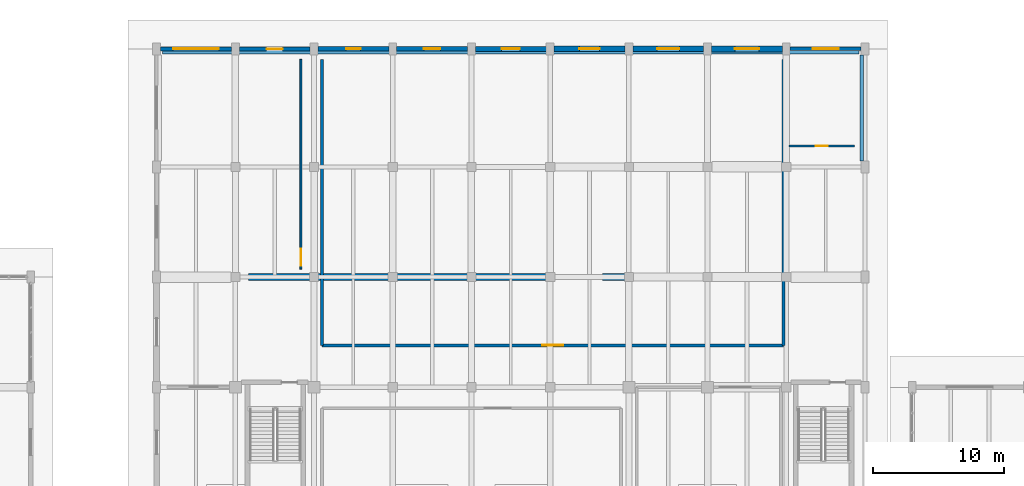
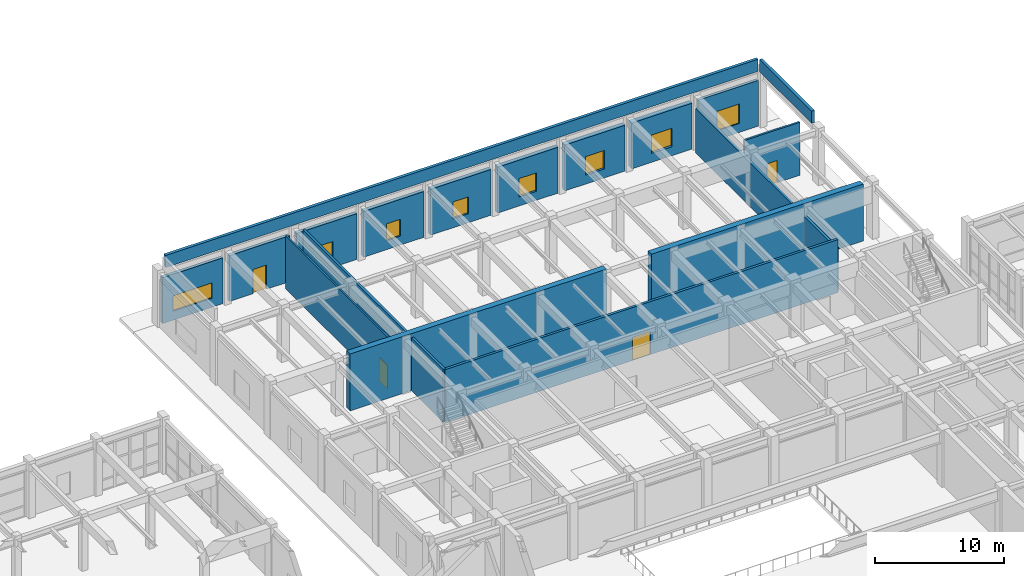
# One storey, part 76 of 91: 18 walls, 8 windows, 4 doors, 12 openings.
"""IFC4 building model written with IfcOpenShell, lengths in metres."""

from ifc_helpers import new_model, si_unit, direction, frame, frame_2d, origin, place, context, subcontext, project, spatial, rectangle, extrude, material, layer, layer_set, type_object, element, fill, save


model = new_model("IFC4")

# Units and contexts
model_context = context("Model", 3, precision=1e-05, world=origin(), true_north=direction((0.0, 1.0)))
body_context = subcontext(model_context, "Body", "Model", "MODEL_VIEW")
ifc_project = project(units=[si_unit("LENGTHUNIT", "METRE"), si_unit("AREAUNIT", "SQUARE_METRE"), si_unit("VOLUMEUNIT", "CUBIC_METRE"), si_unit("PLANEANGLEUNIT", "RADIAN"), si_unit("MASSUNIT", "GRAM", prefix="KILO")], contexts=[model_context])

# Site, building, storey
site_placement = place(None, origin())
site = spatial("IfcSite", under=ifc_project, at=site_placement, CompositionType="ELEMENT")
building_placement = place(site_placement, origin())
building = spatial("IfcBuilding", under=site, at=building_placement, Name="Vaelkrest Opera House", CompositionType="ELEMENT")
storey_placement = place(building_placement, origin())
storey = spatial("IfcBuildingStorey", under=building, at=storey_placement, Name="L00", CompositionType="ELEMENT", Elevation=0.0)

# Wall, opening, window
ifc_material_1 = material(Name="Douglas fir glulam GL28h", Category="wood")
ifc_layer_1 = layer(ifc_material_1, 0.2548828125)
ifc_layer_set_1 = layer_set([ifc_layer_1], Name="Douglas fir glulam GL28h")
wall_type_1 = type_object("IfcWallType", Name="EW01", PredefinedType="STANDARD", material=ifc_layer_set_1)
wall_1_placement = place(storey_placement, frame((24.298095703125, 59.39990234375, 0.0), z_axis=(0.0, 0.0, 1.0), x_axis=(1.0, 0.0, 0.0)))
wall_1 = element("IfcWall", 1, at=wall_1_placement, inside=storey, type_object=wall_type_1, Name="Exterior facade wall EW-V2-L00-0341", PredefinedType="STANDARD", context=body_context, shape_type="SweptSolid", body=[
    extrude(rectangle(XDim=5.40380859375, YDim=0.2548828125, at=frame_2d((2.701904296875, 0.0))), origin(), (0.0, 0.0, 1.0), 4.344970703125),
])
opening_1_placement = place(wall_1_placement, frame((1.701904296875, 0.0, 0.85009765625)))
opening_1 = element("IfcOpeningElement", 2, at=opening_1_placement, cuts=wall_1, Name="Opening WN215", PredefinedType="OPENING", context=body_context, shape_type="SweptSolid", body=[
    extrude(rectangle(XDim=2.0, YDim=1.85009765625, at=frame_2d((1.0, 0.925048828125))), frame((0.0, 0.137451171875, 0.0), z_axis=(0.0, -1.0, 0.0), x_axis=(1.0, 0.0, 0.0)), (0.0, 0.0, 1.0), 0.27490234375),
])
ifc_material_2 = material(Name="Double low-E insulated glazing", Category="glass")
window_type_1 = type_object("IfcWindowType", Name="WT07", PartitioningType="SINGLE_PANEL", PredefinedType="WINDOW", material=ifc_material_2)
window_1_placement = place(opening_1_placement, origin())
window_1 = element("IfcWindow", 3, at=window_1_placement, inside=storey, type_object=window_type_1, Name="Facade window WN215", OverallHeight=1.85009765625, OverallWidth=2.0, PartitioningType="SINGLE_PANEL", PredefinedType="WINDOW", context=body_context, shape_type="SweptSolid", body=[
    extrude(rectangle(XDim=2.0, YDim=1.85009765625, at=frame_2d((1.0, 0.925048828125))), frame((0.0, 0.030029296875, 0.0), z_axis=(0.0, -1.0, 0.0), x_axis=(1.0, 0.0, 0.0)), (0.0, 0.0, 1.0), 0.06005859375),
])
fill(opening_1, window_1)

ifc_layer_2 = layer(ifc_material_1, 0.294921875)
ifc_layer_set_2 = layer_set([ifc_layer_2], Name="Douglas fir glulam GL28h")
wall_type_2 = type_object("IfcWallType", Name="EW03", PredefinedType="STANDARD", material=ifc_layer_set_2)
wall_2_placement = place(storey_placement, frame((-23.701904296875, 59.39990234375, 0.0), z_axis=(0.0, 0.0, 1.0), x_axis=(1.0, 0.0, 0.0)))
wall_2 = element("IfcWall", 4, at=wall_2_placement, inside=storey, type_object=wall_type_2, Name="Exterior facade wall EW-V2-L00-0333", PredefinedType="STANDARD", context=body_context, shape_type="SweptSolid", body=[
    extrude(rectangle(XDim=5.40380859375, YDim=0.294921875, at=frame_2d((2.701904296875, 0.0))), origin(), (0.0, 0.0, 1.0), 4.344970703125),
])
opening_2_placement = place(wall_2_placement, frame((0.951904296875, 0.0, 0.85009765625)))
opening_2 = element("IfcOpeningElement", 5, at=opening_2_placement, cuts=wall_2, Name="Opening WN208", PredefinedType="OPENING", context=body_context, shape_type="SweptSolid", body=[
    extrude(rectangle(XDim=3.5, YDim=1.449951171875, at=frame_2d((1.75, 0.72509765625))), frame((0.0, 0.157470703125, 0.0), z_axis=(0.0, -1.0, 0.0), x_axis=(1.0, 0.0, 0.0)), (0.0, 0.0, 1.0), 0.31494140625),
])
window_type_2 = type_object("IfcWindowType", Name="WT26", PartitioningType="SINGLE_PANEL", PredefinedType="WINDOW", material=ifc_material_2)
window_2_placement = place(opening_2_placement, origin())
window_2 = element("IfcWindow", 6, at=window_2_placement, inside=storey, type_object=window_type_2, Name="Facade window WN208", OverallHeight=1.449951171875, OverallWidth=3.5, PartitioningType="SINGLE_PANEL", PredefinedType="WINDOW", context=body_context, shape_type="SweptSolid", body=[
    extrude(rectangle(XDim=3.5, YDim=1.449951171875, at=frame_2d((1.75, 0.72509765625))), frame((0.0, 0.030029296875, 0.0), z_axis=(0.0, -1.0, 0.0), x_axis=(1.0, 0.0, 0.0)), (0.0, 0.0, 1.0), 0.06005859375),
])
fill(opening_2, window_2)

# Wall, opening, door
ifc_material_3 = material(Name="American black walnut acoustic timber", Category="wood")
ifc_layer_3 = layer(ifc_material_3, 0.31494140625)
ifc_layer_set_3 = layer_set([ifc_layer_3], Name="American black walnut acoustic timber")
wall_type_3 = type_object("IfcWallType", Name="EW04", PredefinedType="STANDARD", material=ifc_layer_set_3)
wall_3_placement = place(storey_placement, frame((-17.701904296875, 59.39990234375, 0.0), z_axis=(0.0, 0.0, 1.0), x_axis=(1.0, 0.0, 0.0)))
wall_3 = element("IfcWall", 7, at=wall_3_placement, inside=storey, type_object=wall_type_3, Name="Exterior facade wall EW-V2-L00-0334", PredefinedType="STANDARD", context=body_context, shape_type="SweptSolid", body=[
    extrude(rectangle(XDim=5.40380859375, YDim=0.31494140625, at=frame_2d((2.701904296875, 0.0))), origin(), (0.0, 0.0, 1.0), 4.344970703125),
])
opening_3_placement = place(wall_3_placement, frame((2.092041015625, 0.0, 0.0)))
opening_3 = element("IfcOpeningElement", 8, at=opening_3_placement, cuts=wall_3, Name="Opening ED-N-V2", PredefinedType="OPENING", context=body_context, shape_type="SweptSolid", body=[
    extrude(rectangle(XDim=1.219970703125, YDim=2.300048828125, at=frame_2d((0.60986328125, 1.14990234375))), frame((0.0, 0.16748046875, 0.0), z_axis=(0.0, -1.0, 0.0), x_axis=(1.0, 0.0, 0.0)), (0.0, 0.0, 1.0), 0.3349609375),
])
ifc_material_4 = material(Name="Dark bronze anodized aluminium", Category="aluminium")
door_type_1 = type_object("IfcDoorType", Name="EDT06", OperationType="NOTDEFINED", PredefinedType="DOOR", material=ifc_material_4)
door_1_placement = place(opening_3_placement, origin())
door_1 = element("IfcDoor", 9, at=door_1_placement, inside=storey, type_object=door_type_1, Name="Exterior exit door ED-N-V2", OperationType="SINGLE_SWING_RIGHT", OverallHeight=2.300048828125, OverallWidth=1.219970703125, PredefinedType="DOOR", context=body_context, shape_type="SweptSolid", body=[
    extrude(rectangle(XDim=1.219970703125, YDim=2.300048828125, at=frame_2d((0.60986328125, 1.14990234375))), frame((0.0, 0.02490234375, 0.0), z_axis=(0.0, -1.0, 0.0), x_axis=(1.0, 0.0, 0.0)), (0.0, 0.0, 1.0), 0.050048828125),
])
fill(opening_3, door_1)

# Wall, opening, window
ifc_layer_4 = layer(ifc_material_3, 0.3349609375)
ifc_layer_set_4 = layer_set([ifc_layer_4], Name="American black walnut acoustic timber")
wall_type_4 = type_object("IfcWallType", Name="EW05", PredefinedType="STANDARD", material=ifc_layer_set_4)
wall_4_placement = place(storey_placement, frame((-11.701904296875, 59.39990234375, 0.0), z_axis=(0.0, 0.0, 1.0), x_axis=(1.0, 0.0, 0.0)))
wall_4 = element("IfcWall", 10, at=wall_4_placement, inside=storey, type_object=wall_type_4, Name="Exterior facade wall EW-V2-L00-0335", PredefinedType="STANDARD", context=body_context, shape_type="SweptSolid", body=[
    extrude(rectangle(XDim=5.40380859375, YDim=0.3349609375, at=frame_2d((2.701904296875, 0.0))), origin(), (0.0, 0.0, 1.0), 4.344970703125),
])
opening_4_placement = place(wall_4_placement, frame((2.152099609375, 0.0, 0.85009765625)))
opening_4 = element("IfcOpeningElement", 11, at=opening_4_placement, cuts=wall_4, Name="Opening WN209", PredefinedType="OPENING", context=body_context, shape_type="SweptSolid", body=[
    extrude(rectangle(XDim=1.10009765625, YDim=1.60009765625, at=frame_2d((0.550048828125, 0.800048828125))), frame((0.0, 0.177490234375, 0.0), z_axis=(0.0, -1.0, 0.0), x_axis=(1.0, 0.0, 0.0)), (0.0, 0.0, 1.0), 0.35498046875),
])
window_type_3 = type_object("IfcWindowType", Name="WT01", PartitioningType="SINGLE_PANEL", PredefinedType="WINDOW", material=ifc_material_2)
window_3_placement = place(opening_4_placement, origin())
window_3 = element("IfcWindow", 12, at=window_3_placement, inside=storey, type_object=window_type_3, Name="Facade window WN209", OverallHeight=1.60009765625, OverallWidth=1.10009765625, PartitioningType="SINGLE_PANEL", PredefinedType="WINDOW", context=body_context, shape_type="SweptSolid", body=[
    extrude(rectangle(XDim=1.10009765625, YDim=1.60009765625, at=frame_2d((0.550048828125, 0.800048828125))), frame((0.0, 0.030029296875, 0.0), z_axis=(0.0, -1.0, 0.0), x_axis=(1.0, 0.0, 0.0)), (0.0, 0.0, 1.0), 0.06005859375),
])
fill(opening_4, window_3)

ifc_layer_5 = layer(ifc_material_3, 0.360107421875)
ifc_layer_set_5 = layer_set([ifc_layer_5], Name="American black walnut acoustic timber")
wall_type_5 = type_object("IfcWallType", Name="EW06", PredefinedType="STANDARD", material=ifc_layer_set_5)
wall_5_placement = place(storey_placement, frame((-5.701904296875, 59.39990234375, 0.0), z_axis=(0.0, 0.0, 1.0), x_axis=(1.0, 0.0, 0.0)))
wall_5 = element("IfcWall", 13, at=wall_5_placement, inside=storey, type_object=wall_type_5, Name="Exterior facade wall EW-V2-L00-0336", PredefinedType="STANDARD", context=body_context, shape_type="SweptSolid", body=[
    extrude(rectangle(XDim=5.40380859375, YDim=0.360107421875, at=frame_2d((2.701904296875, 0.0))), origin(), (0.0, 0.0, 1.0), 4.344970703125),
])
opening_5_placement = place(wall_5_placement, frame((2.076904296875, 0.0, 0.85009765625)))
opening_5 = element("IfcOpeningElement", 14, at=opening_5_placement, cuts=wall_5, Name="Opening WN210", PredefinedType="OPENING", context=body_context, shape_type="SweptSolid", body=[
    extrude(rectangle(XDim=1.25, YDim=1.60009765625, at=frame_2d((0.625, 0.800048828125))), frame((0.0, 0.18994140625, 0.0), z_axis=(0.0, -1.0, 0.0), x_axis=(1.0, 0.0, 0.0)), (0.0, 0.0, 1.0), 0.380126953125),
])
window_type_4 = type_object("IfcWindowType", Name="WT02", PartitioningType="SINGLE_PANEL", PredefinedType="WINDOW", material=ifc_material_2)
window_4_placement = place(opening_5_placement, origin())
window_4 = element("IfcWindow", 15, at=window_4_placement, inside=storey, type_object=window_type_4, Name="Facade window WN210", OverallHeight=1.60009765625, OverallWidth=1.25, PartitioningType="SINGLE_PANEL", PredefinedType="WINDOW", context=body_context, shape_type="SweptSolid", body=[
    extrude(rectangle(XDim=1.25, YDim=1.60009765625, at=frame_2d((0.625, 0.800048828125))), frame((0.0, 0.030029296875, 0.0), z_axis=(0.0, -1.0, 0.0), x_axis=(1.0, 0.0, 0.0)), (0.0, 0.0, 1.0), 0.06005859375),
])
fill(opening_5, window_4)

ifc_material_5 = material(Name="Concrete C40/50", Category="concrete")
ifc_layer_6 = layer(ifc_material_5, 0.385009765625)
ifc_layer_set_6 = layer_set([ifc_layer_6], Name="Concrete C40/50")
wall_type_6 = type_object("IfcWallType", Name="EW07", PredefinedType="STANDARD", material=ifc_layer_set_6)
wall_6_placement = place(storey_placement, frame((0.298095703125, 59.39990234375, 0.0), z_axis=(0.0, 0.0, 1.0), x_axis=(1.0, 0.0, 0.0)))
wall_6 = element("IfcWall", 16, at=wall_6_placement, inside=storey, type_object=wall_type_6, Name="Exterior facade wall EW-V2-L00-0337", PredefinedType="STANDARD", context=body_context, shape_type="SweptSolid", body=[
    extrude(rectangle(XDim=5.40380859375, YDim=0.385009765625, at=frame_2d((2.701904296875, 0.0))), origin(), (0.0, 0.0, 1.0), 4.344970703125),
])
opening_6_placement = place(wall_6_placement, frame((2.001953125, 0.0, 0.85009765625)))
opening_6 = element("IfcOpeningElement", 17, at=opening_6_placement, cuts=wall_6, Name="Opening WN211", PredefinedType="OPENING", context=body_context, shape_type="SweptSolid", body=[
    extrude(rectangle(XDim=1.39990234375, YDim=1.60009765625, at=frame_2d((0.699951171875, 0.800048828125))), frame((0.0, 0.202392578125, 0.0), z_axis=(0.0, -1.0, 0.0), x_axis=(1.0, 0.0, 0.0)), (0.0, 0.0, 1.0), 0.405029296875),
])
window_type_5 = type_object("IfcWindowType", Name="WT03", PartitioningType="SINGLE_PANEL", PredefinedType="WINDOW", material=ifc_material_2)
window_5_placement = place(opening_6_placement, origin())
window_5 = element("IfcWindow", 18, at=window_5_placement, inside=storey, type_object=window_type_5, Name="Facade window WN211", OverallHeight=1.60009765625, OverallWidth=1.39990234375, PartitioningType="SINGLE_PANEL", PredefinedType="WINDOW", context=body_context, shape_type="SweptSolid", body=[
    extrude(rectangle(XDim=1.39990234375, YDim=1.60009765625, at=frame_2d((0.699951171875, 0.800048828125))), frame((0.0, 0.030029296875, 0.0), z_axis=(0.0, -1.0, 0.0), x_axis=(1.0, 0.0, 0.0)), (0.0, 0.0, 1.0), 0.06005859375),
])
fill(opening_6, window_5)

ifc_layer_7 = layer(ifc_material_5, 0.409912109375)
ifc_layer_set_7 = layer_set([ifc_layer_7], Name="Concrete C40/50")
wall_type_7 = type_object("IfcWallType", Name="EW08", PredefinedType="STANDARD", material=ifc_layer_set_7)
wall_7_placement = place(storey_placement, frame((6.298095703125, 59.39990234375, 0.0), z_axis=(0.0, 0.0, 1.0), x_axis=(1.0, 0.0, 0.0)))
wall_7 = element("IfcWall", 19, at=wall_7_placement, inside=storey, type_object=wall_type_7, Name="Exterior facade wall EW-V2-L00-0338", PredefinedType="STANDARD", context=body_context, shape_type="SweptSolid", body=[
    extrude(rectangle(XDim=5.40380859375, YDim=0.409912109375, at=frame_2d((2.701904296875, 0.0))), origin(), (0.0, 0.0, 1.0), 4.344970703125),
])
opening_7_placement = place(wall_7_placement, frame((1.927001953125, 0.0, 0.85009765625)))
opening_7 = element("IfcOpeningElement", 20, at=opening_7_placement, cuts=wall_7, Name="Opening WN212", PredefinedType="OPENING", context=body_context, shape_type="SweptSolid", body=[
    extrude(rectangle(XDim=1.550048828125, YDim=1.75, at=frame_2d((0.77490234375, 0.875))), frame((0.0, 0.21484375, 0.0), z_axis=(0.0, -1.0, 0.0), x_axis=(1.0, 0.0, 0.0)), (0.0, 0.0, 1.0), 0.429931640625),
])
window_type_6 = type_object("IfcWindowType", Name="WT04", PartitioningType="SINGLE_PANEL", PredefinedType="WINDOW", material=ifc_material_2)
window_6_placement = place(opening_7_placement, origin())
window_6 = element("IfcWindow", 21, at=window_6_placement, inside=storey, type_object=window_type_6, Name="Facade window WN212", OverallHeight=1.75, OverallWidth=1.550048828125, PartitioningType="SINGLE_PANEL", PredefinedType="WINDOW", context=body_context, shape_type="SweptSolid", body=[
    extrude(rectangle(XDim=1.550048828125, YDim=1.75, at=frame_2d((0.77490234375, 0.875))), frame((0.0, 0.030029296875, 0.0), z_axis=(0.0, -1.0, 0.0), x_axis=(1.0, 0.0, 0.0)), (0.0, 0.0, 1.0), 0.06005859375),
])
fill(opening_7, window_6)

ifc_layer_8 = layer(ifc_material_5, 0.43505859375)
ifc_layer_set_8 = layer_set([ifc_layer_8], Name="Concrete C40/50")
wall_type_8 = type_object("IfcWallType", Name="EW09", PredefinedType="STANDARD", material=ifc_layer_set_8)
wall_8_placement = place(storey_placement, frame((12.298095703125, 59.39990234375, 0.0), z_axis=(0.0, 0.0, 1.0), x_axis=(1.0, 0.0, 0.0)))
wall_8 = element("IfcWall", 22, at=wall_8_placement, inside=storey, type_object=wall_type_8, Name="Exterior facade wall EW-V2-L00-0339", PredefinedType="STANDARD", context=body_context, shape_type="SweptSolid", body=[
    extrude(rectangle(XDim=5.40380859375, YDim=0.43505859375, at=frame_2d((2.701904296875, 0.0))), origin(), (0.0, 0.0, 1.0), 4.344970703125),
])
opening_8_placement = place(wall_8_placement, frame((1.85205078125, 0.0, 0.85009765625)))
opening_8 = element("IfcOpeningElement", 23, at=opening_8_placement, cuts=wall_8, Name="Opening WN213", PredefinedType="OPENING", context=body_context, shape_type="SweptSolid", body=[
    extrude(rectangle(XDim=1.699951171875, YDim=1.75, at=frame_2d((0.85009765625, 0.875))), frame((0.0, 0.2275390625, 0.0), z_axis=(0.0, -1.0, 0.0), x_axis=(1.0, 0.0, 0.0)), (0.0, 0.0, 1.0), 0.455078125),
])
window_type_7 = type_object("IfcWindowType", Name="WT05", PartitioningType="SINGLE_PANEL", PredefinedType="WINDOW", material=ifc_material_2)
window_7_placement = place(opening_8_placement, origin())
window_7 = element("IfcWindow", 24, at=window_7_placement, inside=storey, type_object=window_type_7, Name="Facade window WN213", OverallHeight=1.75, OverallWidth=1.699951171875, PartitioningType="SINGLE_PANEL", PredefinedType="WINDOW", context=body_context, shape_type="SweptSolid", body=[
    extrude(rectangle(XDim=1.699951171875, YDim=1.75, at=frame_2d((0.85009765625, 0.875))), frame((0.0, 0.030029296875, 0.0), z_axis=(0.0, -1.0, 0.0), x_axis=(1.0, 0.0, 0.0)), (0.0, 0.0, 1.0), 0.06005859375),
])
fill(opening_8, window_7)

ifc_layer_9 = layer(ifc_material_5, 0.465087890625)
ifc_layer_set_9 = layer_set([ifc_layer_9], Name="Concrete C40/50")
wall_type_9 = type_object("IfcWallType", Name="EW10", PredefinedType="STANDARD", material=ifc_layer_set_9)
wall_9_placement = place(storey_placement, frame((18.298095703125, 59.39990234375, 0.0), z_axis=(0.0, 0.0, 1.0), x_axis=(1.0, 0.0, 0.0)))
wall_9 = element("IfcWall", 25, at=wall_9_placement, inside=storey, type_object=wall_type_9, Name="Exterior facade wall EW-V2-L00-0340", PredefinedType="STANDARD", context=body_context, shape_type="SweptSolid", body=[
    extrude(rectangle(XDim=5.40380859375, YDim=0.465087890625, at=frame_2d((2.701904296875, 0.0))), origin(), (0.0, 0.0, 1.0), 4.344970703125),
])
opening_9_placement = place(wall_9_placement, frame((1.777099609375, 0.0, 0.85009765625)))
opening_9 = element("IfcOpeningElement", 26, at=opening_9_placement, cuts=wall_9, Name="Opening WN214", PredefinedType="OPENING", context=body_context, shape_type="SweptSolid", body=[
    extrude(rectangle(XDim=1.85009765625, YDim=1.75, at=frame_2d((0.925048828125, 0.875))), frame((0.0, 0.242431640625, 0.0), z_axis=(0.0, -1.0, 0.0), x_axis=(1.0, 0.0, 0.0)), (0.0, 0.0, 1.0), 0.485107421875),
])
window_type_8 = type_object("IfcWindowType", Name="WT06", PartitioningType="SINGLE_PANEL", PredefinedType="WINDOW", material=ifc_material_2)
window_8_placement = place(opening_9_placement, origin())
window_8 = element("IfcWindow", 27, at=window_8_placement, inside=storey, type_object=window_type_8, Name="Facade window WN214", OverallHeight=1.75, OverallWidth=1.85009765625, PartitioningType="SINGLE_PANEL", PredefinedType="WINDOW", context=body_context, shape_type="SweptSolid", body=[
    extrude(rectangle(XDim=1.85009765625, YDim=1.75, at=frame_2d((0.925048828125, 0.875))), frame((0.0, 0.030029296875, 0.0), z_axis=(0.0, -1.0, 0.0), x_axis=(1.0, 0.0, 0.0)), (0.0, 0.0, 1.0), 0.06005859375),
])
fill(opening_9, window_8)

# Walls
ifc_layer_10 = layer(ifc_material_5, 0.264892578125)
ifc_layer_set_10 = layer_set([ifc_layer_10], Name="Concrete C40/50")
wall_type_10 = type_object("IfcWallType", Name="PP03", PredefinedType="PARAPET", material=ifc_layer_set_10)
wall_10_placement = place(storey_placement, frame((29.75, 50.85009765625, 5.39990234375), z_axis=(0.0, 0.0, 1.0), x_axis=(0.0, 1.0, 0.0)))
element("IfcWall", 28, at=wall_10_placement, inside=storey, type_object=wall_type_10, Name="Roof parapet 17", PredefinedType="PARAPET", context=body_context, shape_type="SweptSolid", body=[
    extrude(rectangle(XDim=8.099853515625, YDim=0.264892578125, at=frame_2d((4.0498046875, 0.0))), origin(), (0.0, 0.0, 1.0), 1.150146484375),
])
wall_11_placement = place(storey_placement, frame((29.550048828125, 59.14990234375, 5.39990234375), z_axis=(0.0, 0.0, 1.0), x_axis=(-1.0, 0.0, 0.0)))
element("IfcWall", 29, at=wall_11_placement, inside=storey, type_object=wall_type_10, Name="Roof parapet 18", PredefinedType="PARAPET", context=body_context, shape_type="SweptSolid", body=[
    extrude(rectangle(XDim=53.10009765625, YDim=0.264892578125, at=frame_2d((26.550048828125, 0.0))), origin(), (0.0, 0.0, 1.0), 1.150146484375),
])
ifc_layer_11 = layer(ifc_material_3, 0.2099609375)
ifc_layer_set_11 = layer_set([ifc_layer_11], Name="American black walnut acoustic timber")
wall_type_11 = type_object("IfcWallType", Name="PT07", PredefinedType="PARTITIONING", material=ifc_layer_set_11)
wall_12_placement = place(storey_placement, frame((-11.39990234375, 36.800048828125, 0.0), z_axis=(0.0, 0.0, 1.0), x_axis=(0.0, 1.0, 0.0)))
element("IfcWall", 30, at=wall_12_placement, inside=storey, type_object=wall_type_11, Name="Interior partition PT-V2-L00-0179", PredefinedType="PARTITIONING", context=body_context, shape_type="SweptSolid", body=[
    extrude(rectangle(XDim=21.800048828125, YDim=0.2099609375, at=frame_2d((10.89990234375, 0.0))), origin(), (0.0, 0.0, 1.0), 5.02001953125),
])

# Wall, opening, door
ifc_layer_12 = layer(ifc_material_3, 0.22509765625)
ifc_layer_set_12 = layer_set([ifc_layer_12], Name="American black walnut acoustic timber")
wall_type_12 = type_object("IfcWallType", Name="PT08", PredefinedType="PARTITIONING", material=ifc_layer_set_12)
wall_13_placement = place(storey_placement, frame((-11.39990234375, 36.800048828125, 0.0), z_axis=(0.0, 0.0, 1.0), x_axis=(1.0, 0.0, 0.0)))
wall_13 = element("IfcWall", 31, at=wall_13_placement, inside=storey, type_object=wall_type_12, Name="Interior partition PT-V2-L00-0178", PredefinedType="PARTITIONING", context=body_context, shape_type="SweptSolid", body=[
    extrude(rectangle(XDim=35.199951171875, YDim=0.22509765625, at=frame_2d((17.60009765625, 0.0))), origin(), (0.0, 0.0, 1.0), 5.02001953125),
])
opening_10_placement = place(wall_13_placement, frame((16.7900390625, 0.0, 0.0)))
opening_10 = element("IfcOpeningElement", 32, at=opening_10_placement, cuts=wall_13, Name="Opening D067", PredefinedType="OPENING", context=body_context, shape_type="SweptSolid", body=[
    extrude(rectangle(XDim=1.6201171875, YDim=2.199951171875, at=frame_2d((0.81005859375, 1.10009765625))), frame((0.0, 0.12255859375, 0.0), z_axis=(0.0, -1.0, 0.0), x_axis=(1.0, 0.0, 0.0)), (0.0, 0.0, 1.0), 0.2451171875),
])
door_type_2 = type_object("IfcDoorType", Name="DT19", OperationType="DOUBLE_DOOR_SINGLE_SWING", PredefinedType="DOOR", material=ifc_material_3)
door_2_placement = place(opening_10_placement, origin())
door_2 = element("IfcDoor", 33, at=door_2_placement, inside=storey, type_object=door_type_2, Name="Interior door D067 (Rear Stage)", OperationType="DOUBLE_DOOR_SINGLE_SWING", OverallHeight=2.199951171875, OverallWidth=1.6201171875, PredefinedType="DOOR", context=body_context, shape_type="SweptSolid", body=[
    extrude(rectangle(XDim=1.6201171875, YDim=2.199951171875, at=frame_2d((0.81005859375, 1.10009765625))), frame((0.0, 0.02490234375, 0.0), z_axis=(0.0, -1.0, 0.0), x_axis=(1.0, 0.0, 0.0)), (0.0, 0.0, 1.0), 0.050048828125),
])
fill(opening_10, door_2)

# Wall
wall_14_placement = place(storey_placement, frame((23.800048828125, 36.800048828125, 0.0), z_axis=(0.0, 0.0, 1.0), x_axis=(0.0, 1.0, 0.0)))
element("IfcWall", 34, at=wall_14_placement, inside=storey, type_object=wall_type_12, Name="Interior partition PT-V2-L00-0180", PredefinedType="PARTITIONING", context=body_context, shape_type="SweptSolid", body=[
    extrude(rectangle(XDim=21.800048828125, YDim=0.22509765625, at=frame_2d((10.89990234375, 0.0))), origin(), (0.0, 0.0, 1.0), 4.18994140625),
])

# Wall, opening, door
ifc_material_6 = material(Name="Gypsum acoustic board", Category="gypsum")
ifc_layer_13 = layer(ifc_material_6, 0.14501953125)
ifc_layer_set_13 = layer_set([ifc_layer_13], Name="Gypsum acoustic board")
wall_type_13 = type_object("IfcWallType", Name="PT13", PredefinedType="PARTITIONING", material=ifc_layer_set_13)
wall_15_placement = place(storey_placement, frame((-13.0, 42.60009765625, 0.0), z_axis=(0.0, 0.0, 1.0), x_axis=(0.0, 1.0, 0.0)))
wall_15 = element("IfcWall", 35, at=wall_15_placement, inside=storey, type_object=wall_type_13, Name="Interior partition PT-V2-L00-0181", PredefinedType="PARTITIONING", context=body_context, shape_type="SweptSolid", body=[
    extrude(rectangle(XDim=16.0, YDim=0.14501953125, at=frame_2d((8.0, 0.0))), origin(), (0.0, 0.0, 1.0), 5.02001953125),
])
opening_11_placement = place(wall_15_placement, frame((0.25, 0.0, 0.0)))
opening_11 = element("IfcOpeningElement", 36, at=opening_11_placement, cuts=wall_15, Name="Opening D068", PredefinedType="OPENING", context=body_context, shape_type="SweptSolid", body=[
    extrude(rectangle(XDim=1.300048828125, YDim=2.25, at=frame_2d((0.64990234375, 1.125))), frame((0.0, 0.08251953125, 0.0), z_axis=(0.0, -1.0, 0.0), x_axis=(1.0, 0.0, 0.0)), (0.0, 0.0, 1.0), 0.1650390625),
])
door_type_3 = type_object("IfcDoorType", Name="DT09", OperationType="NOTDEFINED", PredefinedType="DOOR", material=ifc_material_3)
door_3_placement = place(opening_11_placement, origin())
door_3 = element("IfcDoor", 37, at=door_3_placement, inside=storey, type_object=door_type_3, Name="Interior door D068 (Quick Change Dressing Room)", OperationType="SINGLE_SWING_RIGHT", OverallHeight=2.25, OverallWidth=1.300048828125, PredefinedType="DOOR", context=body_context, shape_type="SweptSolid", body=[
    extrude(rectangle(XDim=1.300048828125, YDim=2.25, at=frame_2d((0.64990234375, 1.125))), frame((0.0, 0.02490234375, 0.0), z_axis=(0.0, -1.0, 0.0), x_axis=(1.0, 0.0, 0.0)), (0.0, 0.0, 1.0), 0.050048828125),
])
fill(opening_11, door_3)

ifc_layer_14 = layer(ifc_material_3, 0.175048828125)
ifc_layer_set_14 = layer_set([ifc_layer_14], Name="American black walnut acoustic timber")
wall_type_14 = type_object("IfcWallType", Name="PT14", PredefinedType="PARTITIONING", material=ifc_layer_set_14)
wall_16_placement = place(storey_placement, frame((24.199951171875, 52.0, 0.0), z_axis=(0.0, 0.0, 1.0), x_axis=(1.0, 0.0, 0.0)))
wall_16 = element("IfcWall", 38, at=wall_16_placement, inside=storey, type_object=wall_type_14, Name="Interior partition PT-V2-L00-0182", PredefinedType="PARTITIONING", context=body_context, shape_type="SweptSolid", body=[
    extrude(rectangle(XDim=5.0, YDim=0.175048828125, at=frame_2d((2.5, 0.0))), origin(), (0.0, 0.0, 1.0), 5.02001953125),
])
opening_12_placement = place(wall_16_placement, frame((2.050048828125, 0.0, 0.0)))
opening_12 = element("IfcOpeningElement", 39, at=opening_12_placement, cuts=wall_16, Name="Opening D069", PredefinedType="OPENING", context=body_context, shape_type="SweptSolid", body=[
    extrude(rectangle(XDim=0.89990234375, YDim=2.10009765625, at=frame_2d((0.449951171875, 1.050048828125))), frame((0.0, 0.097412109375, 0.0), z_axis=(0.0, -1.0, 0.0), x_axis=(1.0, 0.0, 0.0)), (0.0, 0.0, 1.0), 0.195068359375),
])
door_type_4 = type_object("IfcDoorType", Name="DT01", OperationType="NOTDEFINED", PredefinedType="DOOR", material=ifc_material_3)
door_4_placement = place(opening_12_placement, origin())
door_4 = element("IfcDoor", 40, at=door_4_placement, inside=storey, type_object=door_type_4, Name="Interior door D069 (Accessible Washroom)", OperationType="SINGLE_SWING_LEFT", OverallHeight=2.10009765625, OverallWidth=0.89990234375, PredefinedType="DOOR", context=body_context, shape_type="SweptSolid", body=[
    extrude(rectangle(XDim=0.89990234375, YDim=2.10009765625, at=frame_2d((0.449951171875, 1.050048828125))), frame((0.0, 0.02490234375, 0.0), z_axis=(0.0, -1.0, 0.0), x_axis=(1.0, 0.0, 0.0)), (0.0, 0.0, 1.0), 0.050048828125),
])
fill(opening_12, door_4)

# Walls
ifc_material_7 = material(Name="Concrete C50/60", Category="concrete")
ifc_layer_15 = layer(ifc_material_7, 0.52001953125)
ifc_layer_set_15 = layer_set([ifc_layer_15], Name="Concrete C50/60")
wall_type_15 = type_object("IfcWallType", Name="SW04", PredefinedType="SHEAR", material=ifc_layer_set_15)
wall_17_placement = place(storey_placement, frame((-17.0, 42.0, 0.0), z_axis=(0.0, 0.0, 1.0), x_axis=(1.0, 0.0, 0.0)))
element("IfcWall", 41, at=wall_17_placement, inside=storey, type_object=wall_type_15, Name="Fly tower north shear wall L00 W", PredefinedType="SHEAR", context=body_context, shape_type="SweptSolid", body=[
    extrude(rectangle(XDim=23.0, YDim=0.52001953125, at=frame_2d((11.5, 0.0))), origin(), (0.0, 0.0, 1.0), 5.39990234375),
])
wall_18_placement = place(storey_placement, frame((10.0, 42.0, 0.0), z_axis=(0.0, 0.0, 1.0), x_axis=(1.0, 0.0, 0.0)))
element("IfcWall", 42, at=wall_18_placement, inside=storey, type_object=wall_type_15, Name="Fly tower north shear wall L00 E", PredefinedType="SHEAR", context=body_context, shape_type="SweptSolid", body=[
    extrude(rectangle(XDim=19.0, YDim=0.52001953125, at=frame_2d((9.5, 0.0))), origin(), (0.0, 0.0, 1.0), 5.39990234375),
])

save(model, "model.ifc")
